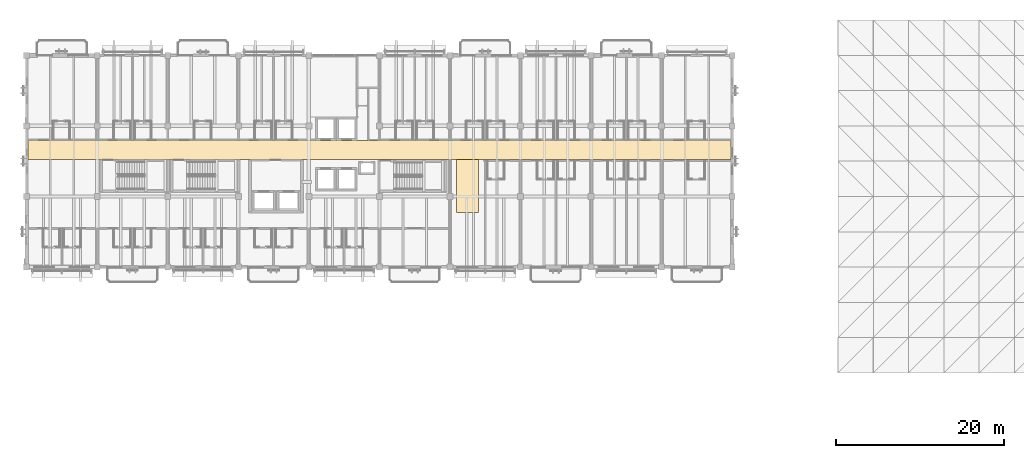
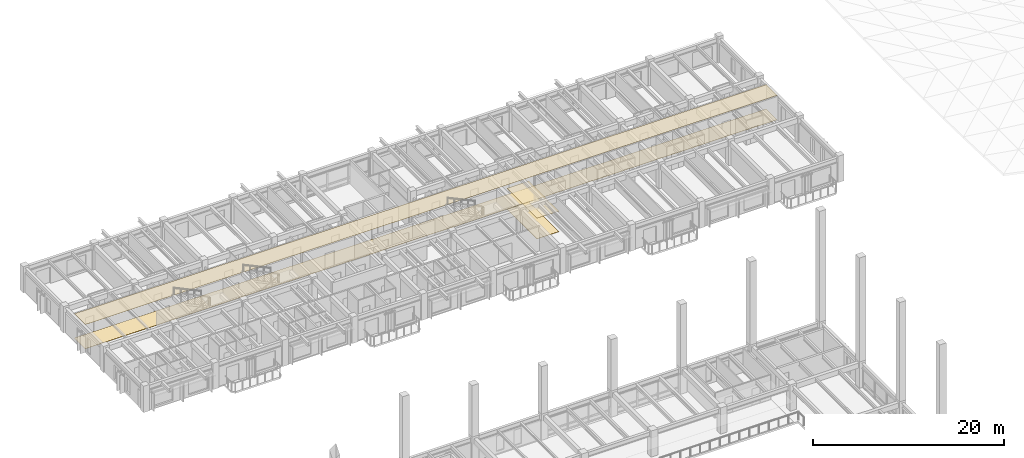
# One storey, part 62 of 64: 4 coverings.
"""IFC4 building model written with IfcOpenShell, lengths in metres."""

from ifc_helpers import new_model, si_unit, direction, frame, origin, place, context, subcontext, project, spatial, polyline, outline, extrude, material, layer, layer_set, type_object, element, save


model = new_model("IFC4")

# Units and contexts
model_context = context("Model", 3, precision=1e-05, world=origin(), true_north=direction((0.0, 1.0)))
body_context = subcontext(model_context, "Body", "Model", "MODEL_VIEW")
ifc_project = project(units=[si_unit("LENGTHUNIT", "METRE"), si_unit("AREAUNIT", "SQUARE_METRE"), si_unit("VOLUMEUNIT", "CUBIC_METRE"), si_unit("PLANEANGLEUNIT", "RADIAN"), si_unit("MASSUNIT", "GRAM", prefix="KILO")], contexts=[model_context])

# Site, building, storey
site_placement = place(None, origin())
site = spatial("IfcSite", under=ifc_project, at=site_placement, CompositionType="ELEMENT")
building_placement = place(site_placement, origin())
building = spatial("IfcBuilding", under=site, at=building_placement, Name="Cumbredor Promenade Congress Hotel", CompositionType="ELEMENT")
storey_placement = place(building_placement, frame((0.0, 0.0, 18.47998046875)))
storey = spatial("IfcBuildingStorey", under=building, at=storey_placement, Name="L05", CompositionType="ELEMENT", Elevation=18.47998046875)

# Coverings
ifc_material_1 = material(Name="Acoustic mineral-fiber and gypsum ceiling")
ifc_layer_1 = layer(ifc_material_1, 0.02197265625, Name="Acoustic mineral-fiber and gypsum ceiling")
ifc_layer_set_1 = layer_set([ifc_layer_1], Name="Acoustic mineral-fiber and gypsum ceiling")
covering_type_1 = type_object("IfcCoveringType", Name="Acoustic Perforated Gypsum Ceiling CLG-02 22mm", PredefinedType="CEILING", material=ifc_layer_set_1)
covering_1_placement = place(storey_placement, frame((0.0, 0.0, 3.097900390625)))
element("IfcCovering", 1, at=covering_1_placement, inside=storey, type_object=covering_type_1, Name="L05 Hotel Guest Corridor Acoustic Ceiling", PredefinedType="CEILING", context=body_context, shape_type="SweptSolid", body=[
    extrude(outline(polyline([(0.159912109375, 105.179931640625), (0.159912109375, 107.469970703125), (83.840087890625, 107.469970703125), (83.840087890625, 105.179931640625), (0.159912109375, 105.179931640625)])), origin(), (0.0, 0.0, 1.0), 0.022216796875),
])
ifc_layer_2 = layer(ifc_material_1, 0.031982421875, Name="Acoustic mineral-fiber and gypsum ceiling")
ifc_layer_set_2 = layer_set([ifc_layer_2], Name="Acoustic mineral-fiber and gypsum ceiling")
covering_type_2 = type_object("IfcCoveringType", Name="Acoustic Perforated Gypsum Ceiling CLG-04 32mm", PredefinedType="CEILING", material=ifc_layer_set_2)
covering_2_placement = place(storey_placement, frame((0.0, 0.0, 2.6259765625)))
element("IfcCovering", 2, at=covering_2_placement, inside=storey, type_object=covering_type_2, Name="L05 East Corridor Connector Acoustic Ceiling", PredefinedType="CEILING", context=body_context, shape_type="SweptSolid", body=[
    extrude(outline(polyline([(51.179931640625, 98.89990234375), (51.179931640625, 105.219970703125), (53.820068359375, 105.219970703125), (53.820068359375, 98.89990234375), (51.179931640625, 98.89990234375)])), origin(), (0.0, 0.0, 1.0), 0.031982421875),
])
ifc_material_2 = material(Name="Porcelain stoneware tile", Category="masonry")
ifc_layer_3 = layer(ifc_material_2, 0.02001953125, Name="Porcelain stoneware tile", Category="masonry")
ifc_layer_set_3 = layer_set([ifc_layer_3], Name="Porcelain stoneware tile")
covering_type_3 = type_object("IfcCoveringType", Name="Porcelain Stoneware Flooring FLR-01 20mm", PredefinedType="FLOORING", material=ifc_layer_set_3)
covering_3_placement = place(storey_placement, origin())
element("IfcCovering", 3, at=covering_3_placement, inside=storey, type_object=covering_type_3, Name="L05 East Corridor Connector Porcelain Flooring", PredefinedType="FLOORING", context=body_context, shape_type="SweptSolid", body=[
    extrude(outline(polyline([(51.179931640625, 98.89990234375), (51.179931640625, 105.219970703125), (53.820068359375, 105.219970703125), (53.820068359375, 98.89990234375), (51.179931640625, 98.89990234375)])), origin(), (0.0, 0.0, 1.0), 0.02001953125),
])
ifc_layer_4 = layer(ifc_material_2, 0.02490234375, Name="Porcelain stoneware tile", Category="masonry")
ifc_layer_set_4 = layer_set([ifc_layer_4], Name="Porcelain stoneware tile")
covering_type_4 = type_object("IfcCoveringType", Name="Porcelain Stoneware Flooring FLR-02 25mm", PredefinedType="FLOORING", material=ifc_layer_set_4)
covering_4_placement = place(storey_placement, origin())
element("IfcCovering", 4, at=covering_4_placement, inside=storey, type_object=covering_type_4, Name="L05 Hotel Guest Corridor Porcelain Flooring", PredefinedType="FLOORING", context=body_context, shape_type="SweptSolid", body=[
    extrude(outline(polyline([(0.159912109375, 105.179931640625), (0.159912109375, 107.469970703125), (83.840087890625, 107.469970703125), (83.840087890625, 105.179931640625), (0.159912109375, 105.179931640625)])), origin(), (0.0, 0.0, 1.0), 0.02490234375),
])

save(model, "model.ifc")
